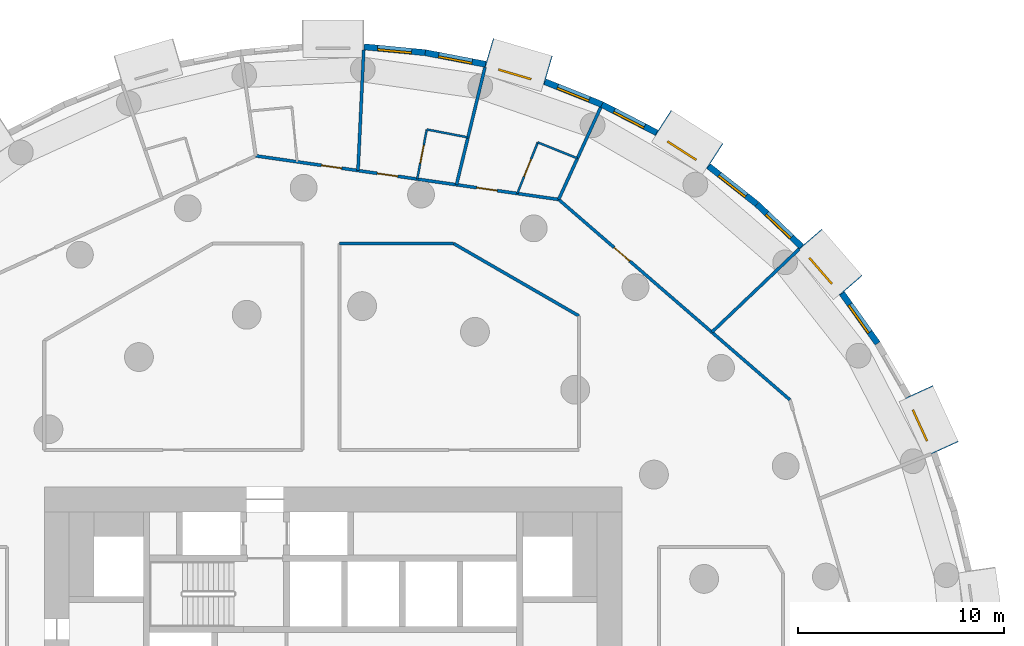
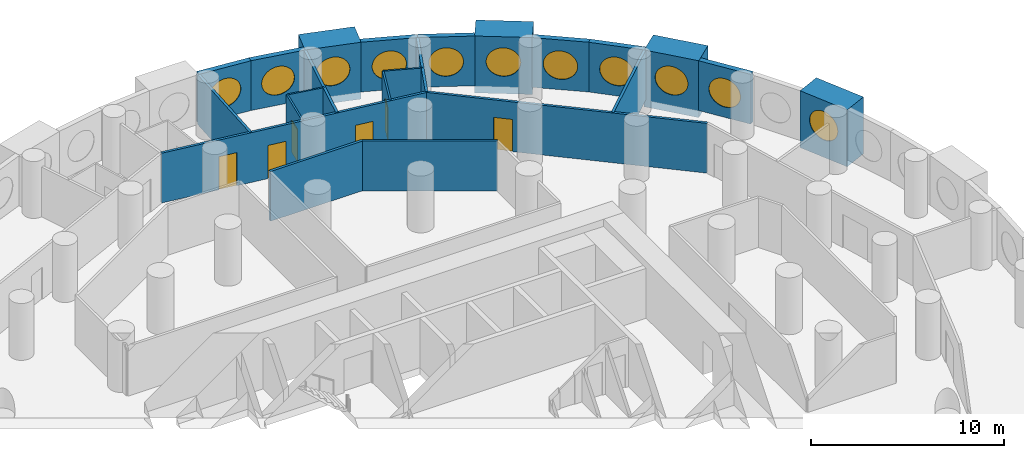
# One storey, part 9 of 11: 23 walls, 11 windows, 6 doors, 17 openings.
"""IFC4 building model written with IfcOpenShell, lengths in metres."""

from ifc_helpers import new_model, si_unit, direction, frame, frame_2d, origin, origin_2d, place, context, subcontext, project, spatial, rectangle, circle, extrude, material, layer, layer_set, type_object, element, fill, save


model = new_model("IFC4")

# Units and contexts
model_context = context("Model", 3, precision=1e-05, world=origin(), true_north=direction((0.0, 1.0)))
body_context = subcontext(model_context, "Body", "Model", "MODEL_VIEW")
ifc_project = project(units=[si_unit("LENGTHUNIT", "METRE"), si_unit("AREAUNIT", "SQUARE_METRE"), si_unit("VOLUMEUNIT", "CUBIC_METRE"), si_unit("PLANEANGLEUNIT", "RADIAN"), si_unit("MASSUNIT", "GRAM", prefix="KILO")], contexts=[model_context])

# Site, building, storey
site_placement = place(None, origin())
site = spatial("IfcSite", under=ifc_project, at=site_placement, CompositionType="ELEMENT")
building_placement = place(site_placement, origin())
building = spatial("IfcBuilding", under=site, at=building_placement, Name="Tracery Tower", CompositionType="ELEMENT")
storey_placement = place(building_placement, frame((0.0, 0.0, 100.199951171875)))
storey = spatial("IfcBuildingStorey", under=building, at=storey_placement, Name="L25", CompositionType="ELEMENT", Elevation=100.199951171875)

# Wall, opening, window
ifc_material_1 = material(Name="Precast concrete C50/60", Category="concrete")
ifc_layer_1 = layer(ifc_material_1, 1.449951171875)
ifc_layer_set_1 = layer_set([ifc_layer_1], Name="Deep-set bay unit 3000 x 3600, slab edge 450")
wall_type_1 = type_object("IfcWallType", Name="Deep-set bay unit 3000 x 3600, slab edge 450", PredefinedType="ELEMENTEDWALL", material=ifc_layer_set_1)
wall_1_placement = place(storey_placement, frame((29.653076171875, 11.89306640625, -0.449951171875), z_axis=(0.0, 0.0, 1.0), x_axis=(-0.415427028395, 0.909626508012, 0.0)))
wall_1 = element("IfcWall", 1, at=wall_1_placement, inside=storey, type_object=wall_type_1, Name="Deep-set bay unit 5 at L25", PredefinedType="ELEMENTEDWALL", context=body_context, shape_type="SweptSolid", body=[
    extrude(rectangle(XDim=3.000244140625, YDim=1.449951171875, at=frame_2d((1.5, 0.0))), origin(), (0.0, 0.0, 1.0), 3.60009765625),
])
opening_1_placement = place(wall_1_placement, frame((1.5, 0.0, 2.0)))
opening_1 = element("IfcOpeningElement", 2, at=opening_1_placement, cuts=wall_1, Name="Opening WN1", PredefinedType="OPENING", context=body_context, shape_type="SweptSolid", body=[
    extrude(circle(Radius=0.9000244140625, at=origin_2d()), frame((0.0, 0.73486328125, 0.0), z_axis=(0.0, -1.0, 0.0), x_axis=(1.0, 0.0, 0.0)), (0.0, 0.0, 1.0), 1.469970703125),
])
ifc_material_2 = material(Name="Aluminium frame with tinted double glazing", Category="aluminium")
window_type = type_object("IfcWindowType", Name="Round window 1800", PartitioningType="SINGLE_PANEL", PredefinedType="WINDOW", material=ifc_material_2)
window_1_placement = place(opening_1_placement, origin())
window_1 = element("IfcWindow", 3, at=window_1_placement, inside=storey, type_object=window_type, Name="Round window 5 at L25", OverallHeight=1.800048828125, OverallWidth=1.800048828125, PartitioningType="SINGLE_PANEL", PredefinedType="WINDOW", context=body_context, shape_type="SweptSolid", body=[
    extrude(circle(Radius=0.9000244140625, at=origin_2d()), frame((0.0, 0.69482421875, 0.0), z_axis=(0.0, -1.0, 0.0), x_axis=(1.0, 0.0, 0.0)), (0.0, 0.0, 1.0), 0.10009765625),
])
fill(opening_1, window_1)

wall_2_placement = place(storey_placement, frame((25.101318359375, 19.765625, -0.449951171875), z_axis=(0.0, 0.0, 1.0), x_axis=(-0.654890259022, 0.75572398972, 0.0)))
wall_2 = element("IfcWall", 4, at=wall_2_placement, inside=storey, type_object=wall_type_1, Name="Deep-set bay unit 8 at L25", PredefinedType="ELEMENTEDWALL", context=body_context, shape_type="SweptSolid", body=[
    extrude(rectangle(XDim=3.0, YDim=1.449951171875, at=frame_2d((1.5, 0.0))), origin(), (0.0, 0.0, 1.0), 3.60009765625),
])
opening_2_placement = place(wall_2_placement, frame((1.5, 0.0, 2.0)))
opening_2 = element("IfcOpeningElement", 5, at=opening_2_placement, cuts=wall_2, Name="Opening WN1", PredefinedType="OPENING", context=body_context, shape_type="SweptSolid", body=[
    extrude(circle(Radius=0.9000244140625, at=origin_2d()), frame((0.0, 0.73486328125, 0.0), z_axis=(0.0, -1.0, 0.0), x_axis=(1.0, 0.0, 0.0)), (0.0, 0.0, 1.0), 1.469970703125),
])
window_2_placement = place(opening_2_placement, origin())
window_2 = element("IfcWindow", 6, at=window_2_placement, inside=storey, type_object=window_type, Name="Round window 8 at L25", OverallHeight=1.800048828125, OverallWidth=1.800048828125, PartitioningType="SINGLE_PANEL", PredefinedType="WINDOW", context=body_context, shape_type="SweptSolid", body=[
    extrude(circle(Radius=0.9000244140625, at=origin_2d()), frame((0.0, 0.69482421875, 0.0), z_axis=(0.0, -1.0, 0.0), x_axis=(1.0, 0.0, 0.0)), (0.0, 0.0, 1.0), 0.10009765625),
])
fill(opening_2, window_2)

wall_3_placement = place(storey_placement, frame((18.515869140625, 26.03662109375, -0.449951171875), z_axis=(0.0, 0.0, 1.0), x_axis=(-0.841223422347, 0.540687667415, 0.0)))
wall_3 = element("IfcWall", 7, at=wall_3_placement, inside=storey, type_object=wall_type_1, Name="Deep-set bay unit 11 at L25", PredefinedType="ELEMENTEDWALL", context=body_context, shape_type="SweptSolid", body=[
    extrude(rectangle(XDim=3.0, YDim=1.449951171875, at=frame_2d((1.5, 0.0))), origin(), (0.0, 0.0, 1.0), 3.60009765625),
])
opening_3_placement = place(wall_3_placement, frame((1.5, 0.0, 2.0)))
opening_3 = element("IfcOpeningElement", 8, at=opening_3_placement, cuts=wall_3, Name="Opening WN1", PredefinedType="OPENING", context=body_context, shape_type="SweptSolid", body=[
    extrude(circle(Radius=0.9000244140625, at=origin_2d()), frame((0.0, 0.73486328125, 0.0), z_axis=(0.0, -1.0, 0.0), x_axis=(1.0, 0.0, 0.0)), (0.0, 0.0, 1.0), 1.469970703125),
])
window_3_placement = place(opening_3_placement, origin())
window_3 = element("IfcWindow", 9, at=window_3_placement, inside=storey, type_object=window_type, Name="Round window 11 at L25", OverallHeight=1.800048828125, OverallWidth=1.800048828125, PartitioningType="SINGLE_PANEL", PredefinedType="WINDOW", context=body_context, shape_type="SweptSolid", body=[
    extrude(circle(Radius=0.9000244140625, at=origin_2d()), frame((0.0, 0.69482421875, 0.0), z_axis=(0.0, -1.0, 0.0), x_axis=(1.0, 0.0, 0.0)), (0.0, 0.0, 1.0), 0.10009765625),
])
fill(opening_3, window_3)

wall_4_placement = place(storey_placement, frame((10.430419921875, 30.198486328125, -0.449951171875), z_axis=(0.0, 0.0, 1.0), x_axis=(-0.959489813418, 0.281743319258, 0.0)))
wall_4 = element("IfcWall", 10, at=wall_4_placement, inside=storey, type_object=wall_type_1, Name="Deep-set bay unit 14 at L25", PredefinedType="ELEMENTEDWALL", context=body_context, shape_type="SweptSolid", body=[
    extrude(rectangle(XDim=3.0, YDim=1.449951171875, at=frame_2d((1.5, 0.0))), origin(), (0.0, 0.0, 1.0), 3.60009765625),
])
opening_4_placement = place(wall_4_placement, frame((1.5, 0.0, 2.0)))
opening_4 = element("IfcOpeningElement", 11, at=opening_4_placement, cuts=wall_4, Name="Opening WN1", PredefinedType="OPENING", context=body_context, shape_type="SweptSolid", body=[
    extrude(circle(Radius=0.9000244140625, at=origin_2d()), frame((0.0, 0.73486328125, 0.0), z_axis=(0.0, -1.0, 0.0), x_axis=(1.0, 0.0, 0.0)), (0.0, 0.0, 1.0), 1.469970703125),
])
window_4_placement = place(opening_4_placement, origin())
window_4 = element("IfcWindow", 12, at=window_4_placement, inside=storey, type_object=window_type, Name="Round window 14 at L25", OverallHeight=1.800048828125, OverallWidth=1.800048828125, PartitioningType="SINGLE_PANEL", PredefinedType="WINDOW", context=body_context, shape_type="SweptSolid", body=[
    extrude(circle(Radius=0.9000244140625, at=origin_2d()), frame((0.0, 0.69482421875, 0.0), z_axis=(0.0, -1.0, 0.0), x_axis=(1.0, 0.0, 0.0)), (0.0, 0.0, 1.0), 0.10009765625),
])
fill(opening_4, window_4)

ifc_material_3 = material(Name="Precast concrete C50/60", Category="concrete")
ifc_layer_2 = layer(ifc_material_3, 0.300048828125)
ifc_layer_set_2 = layer_set([ifc_layer_2], Name="Facade panel 3000 x 3150")
wall_type_2 = type_object("IfcWallType", Name="Facade panel 3000 x 3150", PredefinedType="SOLIDWALL", material=ifc_layer_set_2)
wall_5_placement = place(storey_placement, frame((26.393798828125, 16.96240234375, 0.0), z_axis=(0.0, 0.0, 1.0), x_axis=(-0.580059407678, 0.81457417315, 0.0)))
wall_5 = element("IfcWall", 13, at=wall_5_placement, inside=storey, type_object=wall_type_2, Name="Facade panel 7 at L25", PredefinedType="SOLIDWALL", context=body_context, shape_type="SweptSolid", body=[
    extrude(rectangle(XDim=2.9794921875, YDim=0.300048828125, at=frame_2d((1.48974609375, 0.0))), origin(), (0.0, 0.0, 1.0), 3.150146484375),
])
opening_5_placement = place(wall_5_placement, frame((1.48974609375, 0.0, 1.5498046875)))
opening_5 = element("IfcOpeningElement", 14, at=opening_5_placement, cuts=wall_5, Name="Opening WN1", PredefinedType="OPENING", context=body_context, shape_type="SweptSolid", body=[
    extrude(circle(Radius=0.9000244140625, at=origin_2d()), frame((0.0, 0.159912109375, 0.0), z_axis=(0.0, -1.0, 0.0), x_axis=(1.0, 0.0, 0.0)), (0.0, 0.0, 1.0), 0.320068359375),
])
window_5_placement = place(opening_5_placement, origin())
window_5 = element("IfcWindow", 15, at=window_5_placement, inside=storey, type_object=window_type, Name="Round window 7 at L25", OverallHeight=1.800048828125, OverallWidth=1.800048828125, PartitioningType="SINGLE_PANEL", PredefinedType="WINDOW", context=body_context, shape_type="SweptSolid", body=[
    extrude(circle(Radius=0.9000244140625, at=origin_2d()), frame((0.0, 0.1201171875, 0.0), z_axis=(0.0, -1.0, 0.0), x_axis=(1.0, 0.0, 0.0)), (0.0, 0.0, 1.0), 0.10009765625),
])
fill(opening_5, window_5)

wall_6_placement = place(storey_placement, frame((22.702392578125, 21.655029296875, 0.0), z_axis=(0.0, 0.0, 1.0), x_axis=(-0.723744206617, 0.690068346896, 0.0)))
wall_6 = element("IfcWall", 16, at=wall_6_placement, inside=storey, type_object=wall_type_2, Name="Facade panel 9 at L25", PredefinedType="SOLIDWALL", context=body_context, shape_type="SweptSolid", body=[
    extrude(rectangle(XDim=2.979736328125, YDim=0.300048828125, at=frame_2d((1.48974609375, 0.0))), origin(), (0.0, 0.0, 1.0), 3.150146484375),
])
opening_6_placement = place(wall_6_placement, frame((1.48974609375, 0.0, 1.5498046875)))
opening_6 = element("IfcOpeningElement", 17, at=opening_6_placement, cuts=wall_6, Name="Opening WN1", PredefinedType="OPENING", context=body_context, shape_type="SweptSolid", body=[
    extrude(circle(Radius=0.9000244140625, at=origin_2d()), frame((0.0, 0.159912109375, 0.0), z_axis=(0.0, -1.0, 0.0), x_axis=(1.0, 0.0, 0.0)), (0.0, 0.0, 1.0), 0.320068359375),
])
window_6_placement = place(opening_6_placement, origin())
window_6 = element("IfcWindow", 18, at=window_6_placement, inside=storey, type_object=window_type, Name="Round window 9 at L25", OverallHeight=1.800048828125, OverallWidth=1.800048828125, PartitioningType="SINGLE_PANEL", PredefinedType="WINDOW", context=body_context, shape_type="SweptSolid", body=[
    extrude(circle(Radius=0.9000244140625, at=origin_2d()), frame((0.0, 0.1201171875, 0.0), z_axis=(0.0, -1.0, 0.0), x_axis=(1.0, 0.0, 0.0)), (0.0, 0.0, 1.0), 0.10009765625),
])
fill(opening_6, window_6)

wall_7_placement = place(storey_placement, frame((20.5458984375, 23.711181640625, 0.0), z_axis=(0.0, 0.0, 1.0), x_axis=(-0.786045331304, 0.618168858108, 0.0)))
wall_7 = element("IfcWall", 19, at=wall_7_placement, inside=storey, type_object=wall_type_2, Name="Facade panel 10 at L25", PredefinedType="SOLIDWALL", context=body_context, shape_type="SweptSolid", body=[
    extrude(rectangle(XDim=2.979736328125, YDim=0.300048828125, at=frame_2d((1.48974609375, 0.0))), origin(), (0.0, 0.0, 1.0), 3.150146484375),
])
opening_7_placement = place(wall_7_placement, frame((1.48974609375, 0.0, 1.5498046875)))
opening_7 = element("IfcOpeningElement", 20, at=opening_7_placement, cuts=wall_7, Name="Opening WN1", PredefinedType="OPENING", context=body_context, shape_type="SweptSolid", body=[
    extrude(circle(Radius=0.9000244140625, at=origin_2d()), frame((0.0, 0.159912109375, 0.0), z_axis=(0.0, -1.0, 0.0), x_axis=(1.0, 0.0, 0.0)), (0.0, 0.0, 1.0), 0.320068359375),
])
window_7_placement = place(opening_7_placement, origin())
window_7 = element("IfcWindow", 21, at=window_7_placement, inside=storey, type_object=window_type, Name="Round window 10 at L25", OverallHeight=1.800048828125, OverallWidth=1.800048828125, PartitioningType="SINGLE_PANEL", PredefinedType="WINDOW", context=body_context, shape_type="SweptSolid", body=[
    extrude(circle(Radius=0.9000244140625, at=origin_2d()), frame((0.0, 0.1201171875, 0.0), z_axis=(0.0, -1.0, 0.0), x_axis=(1.0, 0.0, 0.0)), (0.0, 0.0, 1.0), 0.10009765625),
])
fill(opening_7, window_7)

wall_8_placement = place(storey_placement, frame((15.681884765625, 27.173828125, 0.0), z_axis=(0.0, 0.0, 1.0), x_axis=(-0.888819853856, 0.458256770153, 0.0)))
wall_8 = element("IfcWall", 22, at=wall_8_placement, inside=storey, type_object=wall_type_2, Name="Facade panel 12 at L25", PredefinedType="SOLIDWALL", context=body_context, shape_type="SweptSolid", body=[
    extrude(rectangle(XDim=2.979736328125, YDim=0.300048828125, at=frame_2d((1.48974609375, 0.0))), origin(), (0.0, 0.0, 1.0), 3.150146484375),
])
opening_8_placement = place(wall_8_placement, frame((1.48974609375, 0.0, 1.5498046875)))
opening_8 = element("IfcOpeningElement", 23, at=opening_8_placement, cuts=wall_8, Name="Opening WN1", PredefinedType="OPENING", context=body_context, shape_type="SweptSolid", body=[
    extrude(circle(Radius=0.9000244140625, at=origin_2d()), frame((0.0, 0.159912109375, 0.0), z_axis=(0.0, -1.0, 0.0), x_axis=(1.0, 0.0, 0.0)), (0.0, 0.0, 1.0), 0.320068359375),
])
window_8_placement = place(opening_8_placement, origin())
window_8 = element("IfcWindow", 24, at=window_8_placement, inside=storey, type_object=window_type, Name="Round window 12 at L25", OverallHeight=1.800048828125, OverallWidth=1.800048828125, PartitioningType="SINGLE_PANEL", PredefinedType="WINDOW", context=body_context, shape_type="SweptSolid", body=[
    extrude(circle(Radius=0.9000244140625, at=origin_2d()), frame((0.0, 0.1201171875, 0.0), z_axis=(0.0, -1.0, 0.0), x_axis=(1.0, 0.0, 0.0)), (0.0, 0.0, 1.0), 0.10009765625),
])
fill(opening_8, window_8)

wall_9_placement = place(storey_placement, frame((13.033447265625, 28.539306640625, 0.0), z_axis=(0.0, 0.0, 1.0), x_axis=(-0.928403213937, 0.371574316054, 0.0)))
wall_9 = element("IfcWall", 25, at=wall_9_placement, inside=storey, type_object=wall_type_2, Name="Facade panel 13 at L25", PredefinedType="SOLIDWALL", context=body_context, shape_type="SweptSolid", body=[
    extrude(rectangle(XDim=2.979736328125, YDim=0.300048828125, at=frame_2d((1.48974609375, 0.0))), origin(), (0.0, 0.0, 1.0), 3.150146484375),
])
opening_9_placement = place(wall_9_placement, frame((1.48974609375, 0.0, 1.5498046875)))
opening_9 = element("IfcOpeningElement", 26, at=opening_9_placement, cuts=wall_9, Name="Opening WN1", PredefinedType="OPENING", context=body_context, shape_type="SweptSolid", body=[
    extrude(circle(Radius=0.9000244140625, at=origin_2d()), frame((0.0, 0.159912109375, 0.0), z_axis=(0.0, -1.0, 0.0), x_axis=(1.0, 0.0, 0.0)), (0.0, 0.0, 1.0), 0.320068359375),
])
window_9_placement = place(opening_9_placement, origin())
window_9 = element("IfcWindow", 27, at=window_9_placement, inside=storey, type_object=window_type, Name="Round window 13 at L25", OverallHeight=1.800048828125, OverallWidth=1.800048828125, PartitioningType="SINGLE_PANEL", PredefinedType="WINDOW", context=body_context, shape_type="SweptSolid", body=[
    extrude(circle(Radius=0.9000244140625, at=origin_2d()), frame((0.0, 0.1201171875, 0.0), z_axis=(0.0, -1.0, 0.0), x_axis=(1.0, 0.0, 0.0)), (0.0, 0.0, 1.0), 0.10009765625),
])
fill(opening_9, window_9)

wall_10_placement = place(storey_placement, frame((7.390869140625, 30.4912109375, 0.0), z_axis=(0.0, 0.0, 1.0), x_axis=(-0.981924535406, 0.189272836848, 0.0)))
wall_10 = element("IfcWall", 28, at=wall_10_placement, inside=storey, type_object=wall_type_2, Name="Facade panel 15 at L25", PredefinedType="SOLIDWALL", context=body_context, shape_type="SweptSolid", body=[
    extrude(rectangle(XDim=2.979736328125, YDim=0.300048828125, at=frame_2d((1.48974609375, 0.0))), origin(), (0.0, 0.0, 1.0), 3.150146484375),
])
opening_10_placement = place(wall_10_placement, frame((1.48974609375, 0.0, 1.5498046875)))
opening_10 = element("IfcOpeningElement", 29, at=opening_10_placement, cuts=wall_10, Name="Opening WN1", PredefinedType="OPENING", context=body_context, shape_type="SweptSolid", body=[
    extrude(circle(Radius=0.9000244140625, at=origin_2d()), frame((0.0, 0.159912109375, 0.0), z_axis=(0.0, -1.0, 0.0), x_axis=(1.0, 0.0, 0.0)), (0.0, 0.0, 1.0), 0.320068359375),
])
window_10_placement = place(opening_10_placement, origin())
window_10 = element("IfcWindow", 30, at=window_10_placement, inside=storey, type_object=window_type, Name="Round window 15 at L25", OverallHeight=1.800048828125, OverallWidth=1.800048828125, PartitioningType="SINGLE_PANEL", PredefinedType="WINDOW", context=body_context, shape_type="SweptSolid", body=[
    extrude(circle(Radius=0.9000244140625, at=origin_2d()), frame((0.0, 0.1201171875, 0.0), z_axis=(0.0, -1.0, 0.0), x_axis=(1.0, 0.0, 0.0)), (0.0, 0.0, 1.0), 0.10009765625),
])
fill(opening_10, window_10)

wall_11_placement = place(storey_placement, frame((4.465087890625, 31.05517578125, 0.0), z_axis=(0.0, 0.0, 1.0), x_axis=(-0.995473351551, 0.095041077185, 0.0)))
wall_11 = element("IfcWall", 31, at=wall_11_placement, inside=storey, type_object=wall_type_2, Name="Facade panel 16 at L25", PredefinedType="SOLIDWALL", context=body_context, shape_type="SweptSolid", body=[
    extrude(rectangle(XDim=2.979736328125, YDim=0.300048828125, at=frame_2d((1.48974609375, 0.0))), origin(), (0.0, 0.0, 1.0), 3.150146484375),
])
opening_11_placement = place(wall_11_placement, frame((1.48974609375, 0.0, 1.5498046875)))
opening_11 = element("IfcOpeningElement", 32, at=opening_11_placement, cuts=wall_11, Name="Opening WN1", PredefinedType="OPENING", context=body_context, shape_type="SweptSolid", body=[
    extrude(circle(Radius=0.9000244140625, at=origin_2d()), frame((0.0, 0.159912109375, 0.0), z_axis=(0.0, -1.0, 0.0), x_axis=(1.0, 0.0, 0.0)), (0.0, 0.0, 1.0), 0.320068359375),
])
window_11_placement = place(opening_11_placement, origin())
window_11 = element("IfcWindow", 33, at=window_11_placement, inside=storey, type_object=window_type, Name="Round window 16 at L25", OverallHeight=1.800048828125, OverallWidth=1.800048828125, PartitioningType="SINGLE_PANEL", PredefinedType="WINDOW", context=body_context, shape_type="SweptSolid", body=[
    extrude(circle(Radius=0.9000244140625, at=origin_2d()), frame((0.0, 0.1201171875, 0.0), z_axis=(0.0, -1.0, 0.0), x_axis=(1.0, 0.0, 0.0)), (0.0, 0.0, 1.0), 0.10009765625),
])
fill(opening_11, window_11)

# Wall
ifc_material_4 = material(Name="Plasterboard on steel studs", Category="steel")
ifc_layer_3 = layer(ifc_material_4, 0.10009765625)
ifc_layer_set_3 = layer_set([ifc_layer_3], Name="Partition 100 wet wall")
wall_type_3 = type_object("IfcWallType", Name="Partition 100 wet wall", PredefinedType="PARTITIONING", material=ifc_layer_set_3)
wall_12_placement = place(storey_placement, frame((9.9208984375, 26.7041015625, 0.0), z_axis=(0.0, 0.0, 1.0), x_axis=(0.928346586681, -0.37171577179, 0.0)))
element("IfcWall", 34, at=wall_12_placement, inside=storey, type_object=wall_type_3, Name="Wet wall RA7-050", PredefinedType="PARTITIONING", context=body_context, shape_type="SweptSolid", body=[
    extrude(rectangle(XDim=2.071533203125, YDim=0.10009765625, at=frame_2d((1.03564453125, 0.0))), origin(), (0.0, 0.0, 1.0), 3.150146484375),
])

# Wall, opening, door
wall_13_placement = place(storey_placement, frame((8.929931640625, 24.22802734375, 0.0), z_axis=(0.0, 0.0, 1.0), x_axis=(0.371564281805, 0.928407229876, 0.0)))
wall_13 = element("IfcWall", 35, at=wall_13_placement, inside=storey, type_object=wall_type_3, Name="Wet wall RA7-051", PredefinedType="PARTITIONING", context=body_context, shape_type="SweptSolid", body=[
    extrude(rectangle(XDim=2.6669921875, YDim=0.10009765625, at=frame_2d((1.33349609375, 0.0))), origin(), (0.0, 0.0, 1.0), 3.150146484375),
])
opening_12_placement = place(wall_13_placement, frame((0.884033203125, 0.0, 0.0)))
opening_12 = element("IfcOpeningElement", 36, at=opening_12_placement, cuts=wall_13, Name="Opening RA7-10", PredefinedType="OPENING", context=body_context, shape_type="SweptSolid", body=[
    extrude(rectangle(XDim=0.89990234375, YDim=2.0400390625, at=frame_2d((0.449951171875, 1.02001953125))), frame((0.0, 0.050048828125, 0.0), z_axis=(0.0, -1.0, 0.0), x_axis=(1.0, 0.0, 0.0)), (0.0, 0.0, 1.0), 0.10009765625),
])
ifc_material_5 = material(Name="Timber door leaf", Category="wood")
door_type_1 = type_object("IfcDoorType", Name="Door en-suite 900", OperationType="NOTDEFINED", PredefinedType="DOOR", material=ifc_material_5)
door_1_placement = place(opening_12_placement, origin())
door_1 = element("IfcDoor", 37, at=door_1_placement, inside=storey, type_object=door_type_1, Name="En-suite door RA7-10", OperationType="SINGLE_SWING_LEFT", OverallHeight=2.0400390625, OverallWidth=0.89990234375, PredefinedType="DOOR", context=body_context, shape_type="SweptSolid", body=[
    extrude(rectangle(XDim=0.89990234375, YDim=2.0400390625, at=frame_2d((0.449951171875, 1.02001953125))), frame((0.0, 0.02490234375, 0.0), z_axis=(0.0, -1.0, 0.0), x_axis=(1.0, 0.0, 0.0)), (0.0, 0.0, 1.0), 0.050048828125),
])
fill(opening_12, door_1)

# Wall
wall_14_placement = place(storey_placement, frame((4.541015625, 27.333984375, 0.0), z_axis=(0.0, 0.0, 1.0), x_axis=(0.981919009751, -0.189301501024, 0.0)))
element("IfcWall", 38, at=wall_14_placement, inside=storey, type_object=wall_type_3, Name="Wet wall RA7-053", PredefinedType="PARTITIONING", context=body_context, shape_type="SweptSolid", body=[
    extrude(rectangle(XDim=2.033935546875, YDim=0.10009765625, at=frame_2d((1.01708984375, 0.0))), origin(), (0.0, 0.0, 1.0), 3.150146484375),
])

# Wall, opening, door
wall_15_placement = place(storey_placement, frame((4.076904296875, 24.926025390625, 0.0), z_axis=(0.0, 0.0, 1.0), x_axis=(0.18925724964, 0.981927539821, 0.0)))
wall_15 = element("IfcWall", 39, at=wall_15_placement, inside=storey, type_object=wall_type_3, Name="Wet wall RA7-054", PredefinedType="PARTITIONING", context=body_context, shape_type="SweptSolid", body=[
    extrude(rectangle(XDim=2.452392578125, YDim=0.10009765625, at=frame_2d((1.22607421875, 0.0))), origin(), (0.0, 0.0, 1.0), 3.150146484375),
])
opening_13_placement = place(wall_15_placement, frame((0.7763671875, 0.0, 0.0)))
opening_13 = element("IfcOpeningElement", 40, at=opening_13_placement, cuts=wall_15, Name="Opening RA7-12", PredefinedType="OPENING", context=body_context, shape_type="SweptSolid", body=[
    extrude(rectangle(XDim=0.89990234375, YDim=2.0400390625, at=frame_2d((0.449951171875, 1.02001953125))), frame((0.0, 0.050048828125, 0.0), z_axis=(0.0, -1.0, 0.0), x_axis=(1.0, 0.0, 0.0)), (0.0, 0.0, 1.0), 0.10009765625),
])
door_2_placement = place(opening_13_placement, origin())
door_2 = element("IfcDoor", 41, at=door_2_placement, inside=storey, type_object=door_type_1, Name="En-suite door RA7-12", OperationType="SINGLE_SWING_LEFT", OverallHeight=2.0400390625, OverallWidth=0.89990234375, PredefinedType="DOOR", context=body_context, shape_type="SweptSolid", body=[
    extrude(rectangle(XDim=0.89990234375, YDim=2.0400390625, at=frame_2d((0.449951171875, 1.02001953125))), frame((0.0, 0.02490234375, 0.0), z_axis=(0.0, -1.0, 0.0), x_axis=(1.0, 0.0, 0.0)), (0.0, 0.0, 1.0), 0.050048828125),
])
fill(opening_13, door_2)

# Walls
ifc_material_6 = material(Name="Plasterboard on steel studs", Category="steel")
ifc_layer_4 = layer(ifc_material_6, 0.14990234375)
ifc_layer_set_4 = layer_set([ifc_layer_4], Name="Partition 150 acoustic unit wall")
wall_type_4 = type_object("IfcWallType", Name="Partition 150 acoustic unit wall", PredefinedType="PARTITIONING", material=ifc_layer_set_4)
wall_16_placement = place(storey_placement, frame((18.35888671875, 17.506103515625, 0.0), z_axis=(0.0, 0.0, 1.0), x_axis=(0.723808715798, 0.690000683286, 0.0)))
element("IfcWall", 42, at=wall_16_placement, inside=storey, type_object=wall_type_4, Name="Unit wall RA7-048", PredefinedType="PARTITIONING", context=body_context, shape_type="SweptSolid", body=[
    extrude(rectangle(XDim=5.8564453125, YDim=0.14990234375, at=frame_2d((2.92822265625, 0.0))), origin(), (0.0, 0.0, 1.0), 3.150146484375),
])
wall_17_placement = place(storey_placement, frame((10.933349609375, 23.939697265625, 0.0), z_axis=(0.0, 0.0, 1.0), x_axis=(0.415286978667, 0.909690455787, 0.0)))
element("IfcWall", 43, at=wall_17_placement, inside=storey, type_object=wall_type_4, Name="Unit wall RA7-049", PredefinedType="PARTITIONING", context=body_context, shape_type="SweptSolid", body=[
    extrude(rectangle(XDim=4.906494140625, YDim=0.14990234375, at=frame_2d((2.453125, 0.0))), origin(), (0.0, 0.0, 1.0), 3.150146484375),
])
wall_18_placement = place(storey_placement, frame((5.981201171875, 24.652099609375, 0.0), z_axis=(0.0, 0.0, 1.0), x_axis=(0.235604797906, 0.971848948759, 0.0)))
element("IfcWall", 44, at=wall_18_placement, inside=storey, type_object=wall_type_4, Name="Unit wall RA7-052", PredefinedType="PARTITIONING", context=body_context, shape_type="SweptSolid", body=[
    extrude(rectangle(XDim=5.856689453125, YDim=0.14990234375, at=frame_2d((2.92822265625, 0.0))), origin(), (0.0, 0.0, 1.0), 3.150146484375),
])
wall_19_placement = place(storey_placement, frame((1.20703125, 25.339111328125, 0.0), z_axis=(0.0, 0.0, 1.0), x_axis=(0.047648334785, 0.998864173045, 0.0)))
element("IfcWall", 45, at=wall_19_placement, inside=storey, type_object=wall_type_4, Name="Unit wall RA7-055", PredefinedType="PARTITIONING", context=body_context, shape_type="SweptSolid", body=[
    extrude(rectangle(XDim=5.8564453125, YDim=0.14990234375, at=frame_2d((2.92822265625, 0.0))), origin(), (0.0, 0.0, 1.0), 3.150146484375),
])

# Wall, opening, door
ifc_material_7 = material(Name="Plasterboard on steel studs", Category="steel")
ifc_layer_5 = layer(ifc_material_7, 0.14990234375)
ifc_layer_set_5 = layer_set([ifc_layer_5], Name="Partition 150 corridor wall")
wall_type_5 = type_object("IfcWallType", Name="Partition 150 corridor wall", PredefinedType="PARTITIONING", material=ifc_layer_set_5)
wall_20_placement = place(storey_placement, frame((10.932373046875, 23.939208984375, 0.0), z_axis=(0.0, 0.0, 1.0), x_axis=(0.755823777664, -0.654775088956, 0.0)))
wall_20 = element("IfcWall", 46, at=wall_20_placement, inside=storey, type_object=wall_type_5, Name="Corridor wall RA7-013", PredefinedType="PARTITIONING", context=body_context, shape_type="SweptSolid", body=[
    extrude(rectangle(XDim=14.829833984375, YDim=0.14990234375, at=frame_2d((7.4150390625, 0.0))), origin(), (0.0, 0.0, 1.0), 3.150146484375),
])
opening_14_placement = place(wall_20_placement, frame((3.56005859375, 0.0, 0.0)))
opening_14 = element("IfcOpeningElement", 47, at=opening_14_placement, cuts=wall_20, Name="Opening RA7-09", PredefinedType="OPENING", context=body_context, shape_type="SweptSolid", body=[
    extrude(rectangle(XDim=1.0, YDim=2.0400390625, at=frame_2d((0.5, 1.02001953125))), frame((0.0, 0.074951171875, 0.0), z_axis=(0.0, -1.0, 0.0), x_axis=(1.0, 0.0, 0.0)), (0.0, 0.0, 1.0), 0.14990234375),
])
ifc_material_8 = material(Name="Timber door leaf", Category="wood")
door_type_2 = type_object("IfcDoorType", Name="Door communal room 1000", OperationType="NOTDEFINED", PredefinedType="DOOR", material=ifc_material_8)
door_3_placement = place(opening_14_placement, origin())
door_3 = element("IfcDoor", 48, at=door_3_placement, inside=storey, type_object=door_type_2, Name="Communal room door RA7-09", OperationType="SINGLE_SWING_LEFT", OverallHeight=2.0400390625, OverallWidth=1.0, PredefinedType="DOOR", context=body_context, shape_type="SweptSolid", body=[
    extrude(rectangle(XDim=1.0, YDim=2.0400390625, at=frame_2d((0.5, 1.02001953125))), frame((0.0, 0.02490234375, 0.0), z_axis=(0.0, -1.0, 0.0), x_axis=(1.0, 0.0, 0.0)), (0.0, 0.0, 1.0), 0.050048828125),
])
fill(opening_14, door_3)

# Walls
wall_21_placement = place(storey_placement, frame((5.842041015625, 21.802001953125, 0.0), z_axis=(0.0, 0.0, 1.0), x_axis=(0.866027436592, -0.499996479058, 0.0)))
element("IfcWall", 49, at=wall_21_placement, inside=storey, type_object=wall_type_5, Name="Corridor wall RA7-021", PredefinedType="PARTITIONING", context=body_context, shape_type="SweptSolid", body=[
    extrude(rectangle(XDim=7.01806640625, YDim=0.14990234375, at=frame_2d((3.509033203125, 0.0))), origin(), (0.0, 0.0, 1.0), 3.150146484375),
])
wall_22_placement = place(storey_placement, frame((0.31005859375, 21.802001953125, 0.0), z_axis=(0.0, 0.0, 1.0), x_axis=(1.0, 0.0, 0.0)))
element("IfcWall", 50, at=wall_22_placement, inside=storey, type_object=wall_type_5, Name="Corridor wall RA7-022", PredefinedType="PARTITIONING", context=body_context, shape_type="SweptSolid", body=[
    extrude(rectangle(XDim=5.531982421875, YDim=0.14990234375, at=frame_2d((2.76611328125, 0.0))), origin(), (0.0, 0.0, 1.0), 3.150146484375),
])

# Wall, openings, doors
wall_23_placement = place(storey_placement, frame((-3.74560546875, 26.0537109375, 0.0), z_axis=(0.0, 0.0, 1.0), x_axis=(0.989780545379, -0.142598990138, 0.0)))
wall_23 = element("IfcWall", 51, at=wall_23_placement, inside=storey, type_object=wall_type_5, Name="Corridor wall RA7-024", PredefinedType="PARTITIONING", context=body_context, shape_type="SweptSolid", body=[
    extrude(rectangle(XDim=14.830078125, YDim=0.14990234375, at=frame_2d((7.4150390625, 0.0))), origin(), (0.0, 0.0, 1.0), 3.150146484375),
])
opening_15_placement = place(wall_23_placement, frame((10.81689453125, 0.0, 0.0)))
opening_15 = element("IfcOpeningElement", 52, at=opening_15_placement, cuts=wall_23, Name="Opening RA7-11", PredefinedType="OPENING", context=body_context, shape_type="SweptSolid", body=[
    extrude(rectangle(XDim=1.0, YDim=2.10009765625, at=frame_2d((0.5, 1.050048828125))), frame((0.0, 0.074951171875, 0.0), z_axis=(0.0, -1.0, 0.0), x_axis=(1.0, 0.0, 0.0)), (0.0, 0.0, 1.0), 0.14990234375),
])
opening_16_placement = place(wall_23_placement, frame((5.9541015625, 0.0, 0.0)))
opening_16 = element("IfcOpeningElement", 53, at=opening_16_placement, cuts=wall_23, Name="Opening RA7-13", PredefinedType="OPENING", context=body_context, shape_type="SweptSolid", body=[
    extrude(rectangle(XDim=1.0, YDim=2.10009765625, at=frame_2d((0.5, 1.050048828125))), frame((0.0, 0.074951171875, 0.0), z_axis=(0.0, -1.0, 0.0), x_axis=(1.0, 0.0, 0.0)), (0.0, 0.0, 1.0), 0.14990234375),
])
opening_17_placement = place(wall_23_placement, frame((3.213623046875, 0.0, 0.0)))
opening_17 = element("IfcOpeningElement", 54, at=opening_17_placement, cuts=wall_23, Name="Opening RA7-15", PredefinedType="OPENING", context=body_context, shape_type="SweptSolid", body=[
    extrude(rectangle(XDim=1.0, YDim=2.10009765625, at=frame_2d((0.5, 1.050048828125))), frame((0.0, 0.074951171875, 0.0), z_axis=(0.0, -1.0, 0.0), x_axis=(1.0, 0.0, 0.0)), (0.0, 0.0, 1.0), 0.14990234375),
])
ifc_material_9 = material(Name="Timber door leaf", Category="wood")
door_type_3 = type_object("IfcDoorType", Name="Door unit entrance 1000", OperationType="NOTDEFINED", PredefinedType="DOOR", material=ifc_material_9)
door_4_placement = place(opening_15_placement, origin())
door_4 = element("IfcDoor", 55, at=door_4_placement, inside=storey, type_object=door_type_3, Name="Unit entrance door RA7-11", OperationType="SINGLE_SWING_RIGHT", OverallHeight=2.10009765625, OverallWidth=1.0, PredefinedType="DOOR", context=body_context, shape_type="SweptSolid", body=[
    extrude(rectangle(XDim=1.0, YDim=2.10009765625, at=frame_2d((0.5, 1.050048828125))), frame((0.0, 0.02490234375, 0.0), z_axis=(0.0, -1.0, 0.0), x_axis=(1.0, 0.0, 0.0)), (0.0, 0.0, 1.0), 0.050048828125),
])
fill(opening_15, door_4)
door_5_placement = place(opening_16_placement, origin())
door_5 = element("IfcDoor", 56, at=door_5_placement, inside=storey, type_object=door_type_3, Name="Unit entrance door RA7-13", OperationType="SINGLE_SWING_RIGHT", OverallHeight=2.10009765625, OverallWidth=1.0, PredefinedType="DOOR", context=body_context, shape_type="SweptSolid", body=[
    extrude(rectangle(XDim=1.0, YDim=2.10009765625, at=frame_2d((0.5, 1.050048828125))), frame((0.0, 0.02490234375, 0.0), z_axis=(0.0, -1.0, 0.0), x_axis=(1.0, 0.0, 0.0)), (0.0, 0.0, 1.0), 0.050048828125),
])
fill(opening_16, door_5)
door_6_placement = place(opening_17_placement, origin())
door_6 = element("IfcDoor", 57, at=door_6_placement, inside=storey, type_object=door_type_3, Name="Unit entrance door RA7-15", OperationType="SINGLE_SWING_RIGHT", OverallHeight=2.10009765625, OverallWidth=1.0, PredefinedType="DOOR", context=body_context, shape_type="SweptSolid", body=[
    extrude(rectangle(XDim=1.0, YDim=2.10009765625, at=frame_2d((0.5, 1.050048828125))), frame((0.0, 0.02490234375, 0.0), z_axis=(0.0, -1.0, 0.0), x_axis=(1.0, 0.0, 0.0)), (0.0, 0.0, 1.0), 0.050048828125),
])
fill(opening_17, door_6)

save(model, "model.ifc")
